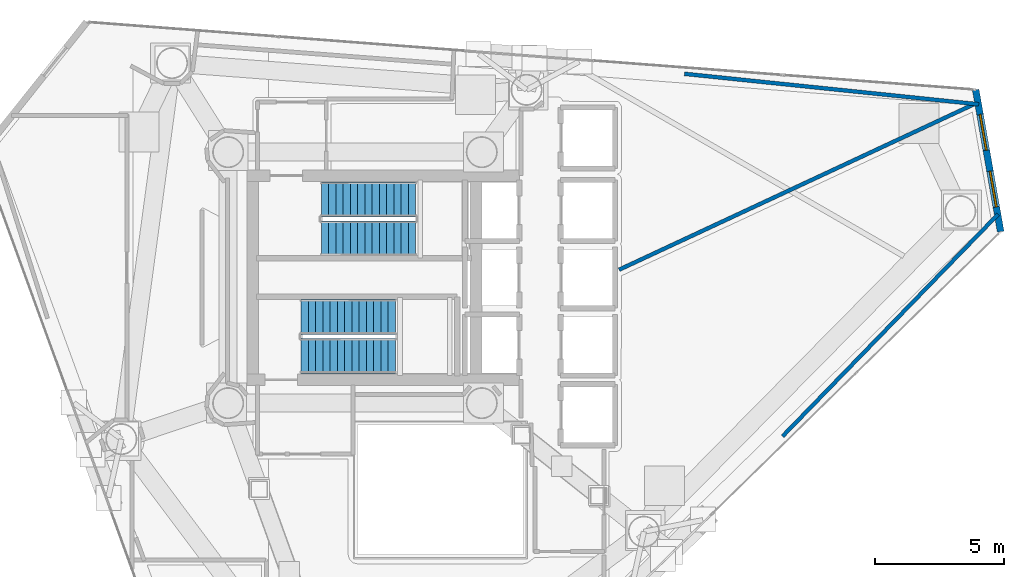
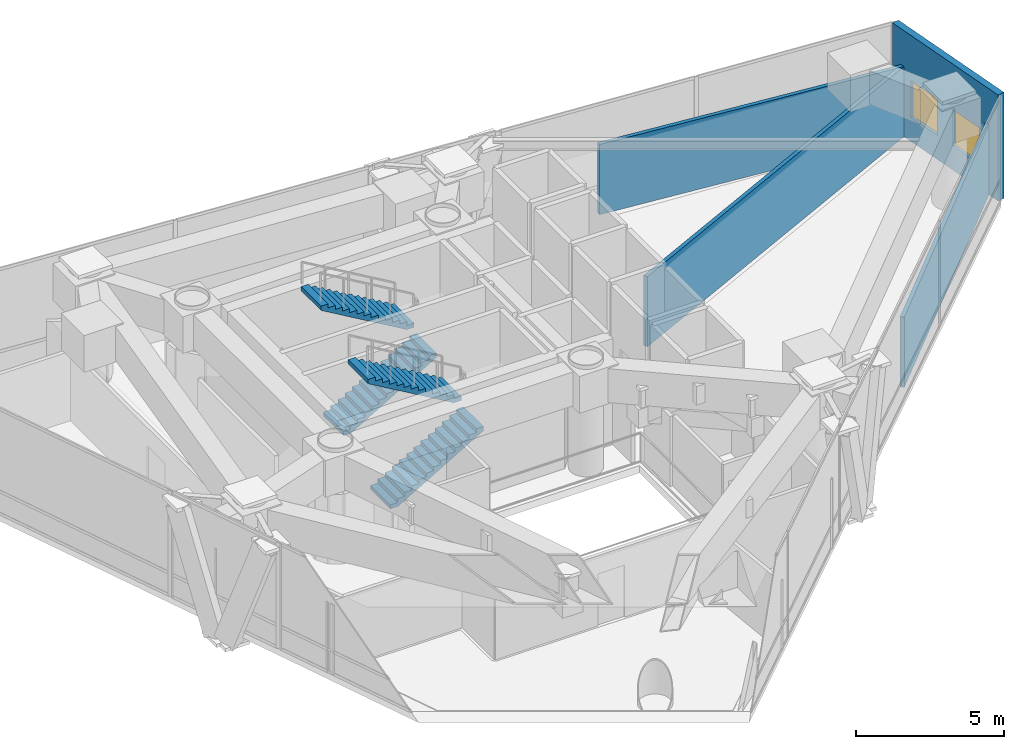
# One storey, part 18 of 20: 4 stair flights, 4 walls, 2 windows, 2 openings, 2 elements without a shape of their own.
"""IFC4 building model written with IfcOpenShell, lengths in metres."""

from ifc_helpers import new_model, si_unit, direction, frame, frame_2d, origin, place, context, subcontext, project, spatial, polyline, rectangle, outline, extrude, material, layer, layer_set, type_object, element, fill, aggregate, save


model = new_model("IFC4")

# Units and contexts
model_context = context("Model", 3, precision=1e-05, world=origin(), true_north=direction((0.0, 1.0)))
body_context = subcontext(model_context, "Body", "Model", "MODEL_VIEW")
ifc_project = project(units=[si_unit("LENGTHUNIT", "METRE"), si_unit("AREAUNIT", "SQUARE_METRE"), si_unit("VOLUMEUNIT", "CUBIC_METRE"), si_unit("PLANEANGLEUNIT", "RADIAN"), si_unit("MASSUNIT", "GRAM", prefix="KILO")], contexts=[model_context])

# Site, building, storey
site_placement = place(None, origin())
site = spatial("IfcSite", under=ifc_project, at=site_placement, CompositionType="ELEMENT")
building_placement = place(site_placement, origin())
building = spatial("IfcBuilding", under=site, at=building_placement, Name="Qianvela Tower", CompositionType="ELEMENT")
storey_placement = place(building_placement, frame((0.0, 0.0, 229.89990234375)))
storey = spatial("IfcBuildingStorey", under=building, at=storey_placement, Name="L59", CompositionType="ELEMENT", Elevation=229.89990234375)

# Wall, openings, windows
ifc_material_1 = material(Name="Terracotta Cladding on Concrete C40", Category="masonry")
ifc_layer_1 = layer(ifc_material_1, 0.260009765625)
ifc_layer_set_1 = layer_set([ifc_layer_1], Name="Terracotta Cladding on Concrete C40")
wall_type_1 = type_object("IfcWallType", Name="TERRACOTTA-WALL-260", PredefinedType="SOLIDWALL", material=ifc_layer_set_1)
wall_1_placement = place(storey_placement, frame((58.455078125, 30.475341796875, 0.0), z_axis=(0.0, 0.0, 1.0), x_axis=(-0.173235165229, 0.984880488957, 0.0)))
wall_1 = element("IfcWall", 1, at=wall_1_placement, inside=storey, type_object=wall_type_1, Name="L59 Terracotta Chamfer Facet Wall 1", PredefinedType="SOLIDWALL", context=body_context, shape_type="SweptSolid", body=[
    extrude(rectangle(XDim=5.569580078125, YDim=0.260009765625, at=frame_2d((2.78466796875, 0.0))), origin(), (0.0, 0.0, 1.0), 4.380126953125),
])
opening_1_placement = place(wall_1_placement, frame((0.970703125, 0.0, 1.0)))
opening_1 = element("IfcOpeningElement", 2, at=opening_1_placement, cuts=wall_1, Name="Opening W-06", PredefinedType="OPENING", context=body_context, shape_type="SweptSolid", body=[
    extrude(rectangle(XDim=1.39990234375, YDim=1.5, at=frame_2d((0.699951171875, 0.75))), frame((0.0, 0.139892578125, 0.0), z_axis=(0.0, -1.0, 0.0), x_axis=(1.0, 0.0, 0.0)), (0.0, 0.0, 1.0), 0.280029296875),
])
opening_2_placement = place(wall_1_placement, frame((3.198486328125, 0.0, 1.0)))
opening_2 = element("IfcOpeningElement", 3, at=opening_2_placement, cuts=wall_1, Name="Opening W-06", PredefinedType="OPENING", context=body_context, shape_type="SweptSolid", body=[
    extrude(rectangle(XDim=1.39990234375, YDim=1.5, at=frame_2d((0.699951171875, 0.75))), frame((0.0, 0.139892578125, 0.0), z_axis=(0.0, -1.0, 0.0), x_axis=(1.0, 0.0, 0.0)), (0.0, 0.0, 1.0), 0.280029296875),
])
ifc_material_2 = material(Name="Thermally Broken Aluminium and Low-E Glass", Category="aluminium")
window_type = type_object("IfcWindowType", Name="WIN-REF-1400x1500", PartitioningType="SINGLE_PANEL", PredefinedType="WINDOW", material=ifc_material_2)
window_1_placement = place(opening_1_placement, origin())
window_1 = element("IfcWindow", 4, at=window_1_placement, inside=storey, type_object=window_type, Name="L59 Chamfer Facet Window 1.1", OverallHeight=1.5, OverallWidth=1.39990234375, PartitioningType="SINGLE_PANEL", PredefinedType="WINDOW", context=body_context, shape_type="SweptSolid", body=[
    extrude(rectangle(XDim=1.39990234375, YDim=1.5, at=frame_2d((0.699951171875, 0.75))), frame((0.0, 0.030029296875, 0.0), z_axis=(0.0, -1.0, 0.0), x_axis=(1.0, 0.0, 0.0)), (0.0, 0.0, 1.0), 0.06005859375),
])
fill(opening_1, window_1)
window_2_placement = place(opening_2_placement, origin())
window_2 = element("IfcWindow", 5, at=window_2_placement, inside=storey, type_object=window_type, Name="L59 Chamfer Facet Window 1.2", OverallHeight=1.5, OverallWidth=1.39990234375, PartitioningType="SINGLE_PANEL", PredefinedType="WINDOW", context=body_context, shape_type="SweptSolid", body=[
    extrude(rectangle(XDim=1.39990234375, YDim=1.5, at=frame_2d((0.699951171875, 0.75))), frame((0.0, 0.030029296875, 0.0), z_axis=(0.0, -1.0, 0.0), x_axis=(1.0, 0.0, 0.0)), (0.0, 0.0, 1.0), 0.06005859375),
])
fill(opening_2, window_2)

# Walls
ifc_material_3 = material(Name="Fire-Rated Acoustic Gypsum Board")
ifc_layer_2 = layer(ifc_material_3, 0.14990234375)
ifc_layer_set_2 = layer_set([ifc_layer_2], Name="Fire-Rated Acoustic Gypsum Board")
wall_type_2 = type_object("IfcWallType", Name="WT-CORR-150", PredefinedType="PARTITIONING", material=ifc_layer_set_2)
wall_2_placement = place(storey_placement, frame((46.2333984375, 36.576904296875, 0.0), z_axis=(0.0, 0.0, 1.0), x_axis=(0.994680787495, -0.103005490088, 0.0)))
element("IfcWall", 6, at=wall_2_placement, inside=storey, type_object=wall_type_2, Name="L59 Partition 91 seg 3", PredefinedType="PARTITIONING", context=body_context, shape_type="SweptSolid", body=[
    extrude(rectangle(XDim=11.43603515625, YDim=0.14990234375, at=frame_2d((5.718017578125, 0.0))), origin(), (0.0, 0.0, 1.0), 2.900146484375),
])
wall_3_placement = place(storey_placement, frame((57.593994140625, 35.4814453125, 0.0), z_axis=(0.0, 0.0, 1.0), x_axis=(-0.906310912914, -0.42261155821, 0.0)))
element("IfcWall", 7, at=wall_3_placement, inside=storey, type_object=wall_type_2, Name="L59 Partition 92", PredefinedType="PARTITIONING", context=body_context, shape_type="SweptSolid", body=[
    extrude(rectangle(XDim=15.32275390625, YDim=0.14990234375, at=frame_2d((7.661376953125, 0.0))), origin(), (0.0, 0.0, 1.0), 2.900146484375),
])
wall_4_placement = place(storey_placement, frame((58.353759765625, 31.14697265625, 0.0), z_axis=(0.0, 0.0, 1.0), x_axis=(-0.69662095265, -0.717439369096, 0.0)))
element("IfcWall", 8, at=wall_4_placement, inside=storey, type_object=wall_type_2, Name="L59 Partition 106 seg 1", PredefinedType="PARTITIONING", context=body_context, shape_type="SweptSolid", body=[
    extrude(rectangle(XDim=11.961669921875, YDim=0.14990234375, at=frame_2d((5.98095703125, 0.0))), origin(), (0.0, 0.0, 1.0), 2.900146484375),
])

# Stair, stair flights
ifc_material_4 = material(Name="Concrete C40", Category="concrete")
stair_type = type_object("IfcStairType", Name="ST-DOGLEG-1350-R164-N28", PredefinedType="HALF_TURN_STAIR", material=ifc_material_4)
stair_1_placement = place(storey_placement, origin())
stair_1 = element("IfcStair", 9, at=stair_1_placement, inside=storey, type_object=stair_type, Name="L59 Smoke-Proof Core Stair ST-1", PredefinedType="HALF_TURN_STAIR")
ifc_material_5 = material(Name="Concrete C40", Category="concrete")
stair_flight_type = type_object("IfcStairFlightType", Name="STF-STRAIGHT-R164-P14", PredefinedType="STRAIGHT", material=ifc_material_5)
stair_flight_1_placement = place(storey_placement, frame((32.199951171875, 30.215087890625, 0.0), z_axis=(0.0, 0.0, 1.0), x_axis=(1.0, 0.0, 0.0)))
stair_flight_1 = element("IfcStairFlight", 10, at=stair_flight_1_placement, type_object=stair_flight_type, Name="ST-1 flight 1", NumberOfRisers=14, NumberOfTreads=13, PredefinedType="STRAIGHT", RiserHeight=0.164285714, TreadLength=0.28, context=body_context, shape_type="SweptSolid", body=[
    extrude(outline(polyline([(0.0, 0.0), (0.0, 0.164306640625), (0.280029296875, 0.164306640625), (0.280029296875, 0.32861328125), (0.56005859375, 0.32861328125), (0.56005859375, 0.492919921875), (0.840087890625, 0.492919921875), (0.840087890625, 0.6572265625), (1.1201171875, 0.6572265625), (1.1201171875, 0.821533203125), (1.39990234375, 0.821533203125), (1.39990234375, 0.985595703125), (1.679931640625, 0.985595703125), (1.679931640625, 1.14990234375), (1.9599609375, 1.14990234375), (1.9599609375, 1.314208984375), (2.239990234375, 1.314208984375), (2.239990234375, 1.478515625), (2.52001953125, 1.478515625), (2.52001953125, 1.642822265625), (2.800048828125, 1.642822265625), (2.800048828125, 1.80712890625), (3.080078125, 1.80712890625), (3.080078125, 1.971435546875), (3.360107421875, 1.971435546875), (3.360107421875, 2.1357421875), (3.639892578125, 2.1357421875), (3.639892578125, 2.300048828125), (3.639892578125, 1.9619140625), (0.296142578125, 0.0), (0.0, 0.0)])), frame((0.0, 0.675048828125, 0.0), z_axis=(0.0, -1.0, 0.0), x_axis=(1.0, 0.0, 0.0)), (0.0, 0.0, 1.0), 1.35009765625),
])
stair_flight_2_placement = place(storey_placement, frame((35.840087890625, 31.72509765625, 2.300048828125), z_axis=(0.0, 0.0, 1.0), x_axis=(-1.0, 0.0, 0.0)))
stair_flight_2 = element("IfcStairFlight", 11, at=stair_flight_2_placement, type_object=stair_flight_type, Name="ST-1 flight 2", NumberOfRisers=14, NumberOfTreads=13, PredefinedType="STRAIGHT", RiserHeight=0.164285714, TreadLength=0.28, context=body_context, shape_type="SweptSolid", body=[
    extrude(outline(polyline([(0.0, 0.0), (0.0, 0.164306640625), (0.280029296875, 0.164306640625), (0.280029296875, 0.32861328125), (0.56005859375, 0.32861328125), (0.56005859375, 0.492919921875), (0.840087890625, 0.492919921875), (0.840087890625, 0.6572265625), (1.1201171875, 0.6572265625), (1.1201171875, 0.821533203125), (1.39990234375, 0.821533203125), (1.39990234375, 0.985595703125), (1.679931640625, 0.985595703125), (1.679931640625, 1.14990234375), (1.9599609375, 1.14990234375), (1.9599609375, 1.314208984375), (2.239990234375, 1.314208984375), (2.239990234375, 1.478515625), (2.52001953125, 1.478515625), (2.52001953125, 1.642822265625), (2.800048828125, 1.642822265625), (2.800048828125, 1.80712890625), (3.080078125, 1.80712890625), (3.080078125, 1.971435546875), (3.360107421875, 1.971435546875), (3.360107421875, 2.1357421875), (3.639892578125, 2.1357421875), (3.639892578125, 2.300048828125), (3.639892578125, 1.9619140625), (0.296142578125, 0.0), (0.0, 0.0)])), frame((0.0, 0.675048828125, 0.0), z_axis=(0.0, -1.0, 0.0), x_axis=(1.0, 0.0, 0.0)), (0.0, 0.0, 1.0), 1.35009765625),
])
aggregate(stair_1, [stair_flight_1, stair_flight_2])

stair_2_placement = place(storey_placement, origin())
stair_2 = element("IfcStair", 12, at=stair_2_placement, inside=storey, type_object=stair_type, Name="L59 Smoke-Proof Core Stair ST-2", PredefinedType="HALF_TURN_STAIR")
stair_flight_3_placement = place(storey_placement, frame((31.419921875, 25.675048828125, 0.0), z_axis=(0.0, 0.0, 1.0), x_axis=(1.0, 0.0, 0.0)))
stair_flight_3 = element("IfcStairFlight", 13, at=stair_flight_3_placement, type_object=stair_flight_type, Name="ST-2 flight 1", NumberOfRisers=14, NumberOfTreads=13, PredefinedType="STRAIGHT", RiserHeight=0.164285714, TreadLength=0.28, context=body_context, shape_type="SweptSolid", body=[
    extrude(outline(polyline([(0.0, 0.0), (0.0, 0.164306640625), (0.280029296875, 0.164306640625), (0.280029296875, 0.32861328125), (0.56005859375, 0.32861328125), (0.56005859375, 0.492919921875), (0.840087890625, 0.492919921875), (0.840087890625, 0.6572265625), (1.1201171875, 0.6572265625), (1.1201171875, 0.821533203125), (1.39990234375, 0.821533203125), (1.39990234375, 0.985595703125), (1.679931640625, 0.985595703125), (1.679931640625, 1.14990234375), (1.9599609375, 1.14990234375), (1.9599609375, 1.314208984375), (2.239990234375, 1.314208984375), (2.239990234375, 1.478515625), (2.52001953125, 1.478515625), (2.52001953125, 1.642822265625), (2.800048828125, 1.642822265625), (2.800048828125, 1.80712890625), (3.080078125, 1.80712890625), (3.080078125, 1.971435546875), (3.360107421875, 1.971435546875), (3.360107421875, 2.1357421875), (3.639892578125, 2.1357421875), (3.639892578125, 2.300048828125), (3.639892578125, 1.9619140625), (0.296142578125, 0.0), (0.0, 0.0)])), frame((0.0, 0.675048828125, 0.0), z_axis=(0.0, -1.0, 0.0), x_axis=(1.0, 0.0, 0.0)), (0.0, 0.0, 1.0), 1.35009765625),
])
stair_flight_4_placement = place(storey_placement, frame((35.06005859375, 27.18505859375, 2.300048828125), z_axis=(0.0, 0.0, 1.0), x_axis=(-1.0, 0.0, 0.0)))
stair_flight_4 = element("IfcStairFlight", 14, at=stair_flight_4_placement, type_object=stair_flight_type, Name="ST-2 flight 2", NumberOfRisers=14, NumberOfTreads=13, PredefinedType="STRAIGHT", RiserHeight=0.164285714, TreadLength=0.28, context=body_context, shape_type="SweptSolid", body=[
    extrude(outline(polyline([(0.0, 0.0), (0.0, 0.164306640625), (0.280029296875, 0.164306640625), (0.280029296875, 0.32861328125), (0.56005859375, 0.32861328125), (0.56005859375, 0.492919921875), (0.840087890625, 0.492919921875), (0.840087890625, 0.6572265625), (1.1201171875, 0.6572265625), (1.1201171875, 0.821533203125), (1.39990234375, 0.821533203125), (1.39990234375, 0.985595703125), (1.679931640625, 0.985595703125), (1.679931640625, 1.14990234375), (1.9599609375, 1.14990234375), (1.9599609375, 1.314208984375), (2.239990234375, 1.314208984375), (2.239990234375, 1.478515625), (2.52001953125, 1.478515625), (2.52001953125, 1.642822265625), (2.800048828125, 1.642822265625), (2.800048828125, 1.80712890625), (3.080078125, 1.80712890625), (3.080078125, 1.971435546875), (3.360107421875, 1.971435546875), (3.360107421875, 2.1357421875), (3.639892578125, 2.1357421875), (3.639892578125, 2.300048828125), (3.639892578125, 1.9619140625), (0.296142578125, 0.0), (0.0, 0.0)])), frame((0.0, 0.675048828125, 0.0), z_axis=(0.0, -1.0, 0.0), x_axis=(1.0, 0.0, 0.0)), (0.0, 0.0, 1.0), 1.35009765625),
])
aggregate(stair_2, [stair_flight_3, stair_flight_4])

save(model, "model.ifc")
